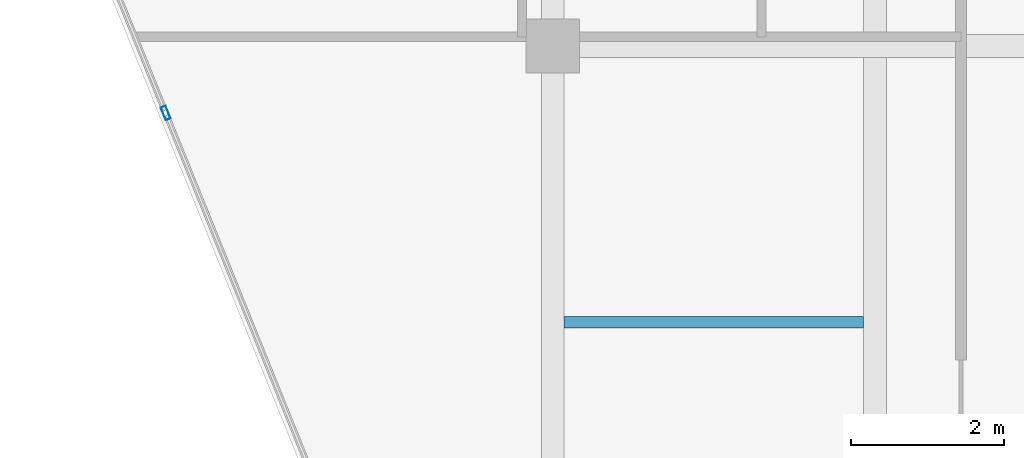
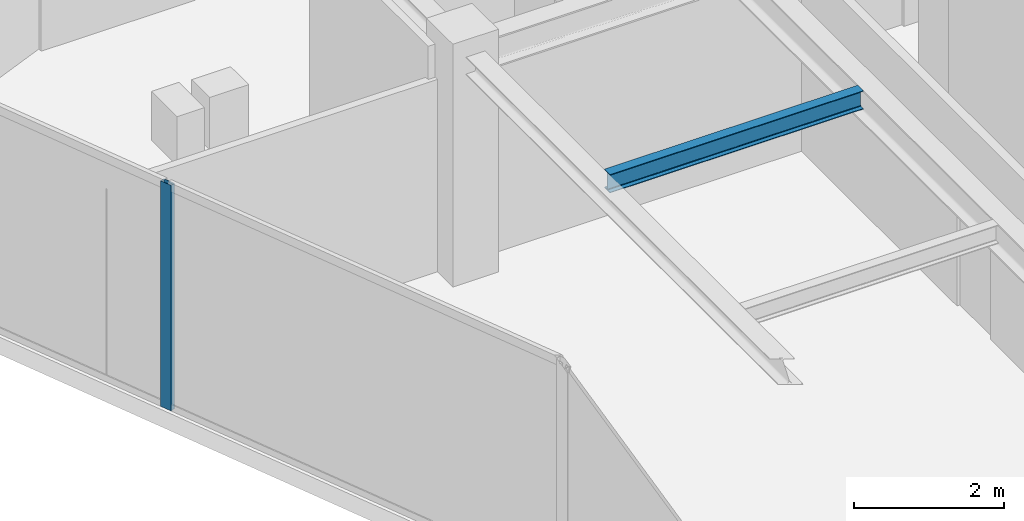
# One storey, part 5 of 21: 1 beam, 1 member, 1 element without a shape of its own.
"""IFC4 building model written with IfcOpenShell, lengths in metres."""

from ifc_helpers import new_model, si_unit, direction, frame, origin, origin_2d, place, context, subcontext, project, spatial, hollow_rectangle, i_section, extrude, source, transform, mapped, material, material_profile, profile_set, type_object, type_shapes, element, aggregate, save


model = new_model("IFC4")

# Units and contexts
model_context = context("Model", 3, precision=1e-05, world=origin(), true_north=direction((0.0, 1.0)))
body_context = subcontext(model_context, "Body", "Model", "MODEL_VIEW")
ifc_project = project(units=[si_unit("LENGTHUNIT", "METRE"), si_unit("AREAUNIT", "SQUARE_METRE"), si_unit("VOLUMEUNIT", "CUBIC_METRE"), si_unit("PLANEANGLEUNIT", "RADIAN"), si_unit("MASSUNIT", "GRAM", prefix="KILO")], contexts=[model_context])

# Site, building, storey
site_placement = place(None, origin())
site = spatial("IfcSite", under=ifc_project, at=site_placement, CompositionType="ELEMENT")
building_placement = place(site_placement, origin())
building = spatial("IfcBuilding", under=site, at=building_placement, Name="Krantzveldt Concourse Tower", CompositionType="ELEMENT")
storey_placement = place(building_placement, frame((0.0, 0.0, 327.699951171875)))
storey = spatial("IfcBuildingStorey", under=building, at=storey_placement, Name="L80", CompositionType="ELEMENT", Elevation=327.699951171875)

# Beam
ifc_material_1 = material(Name="Steel S355JR", Category="steel")
ifc_material_profile_1 = material_profile(ifc_material_1, i_section(OverallWidth=0.14990234375, OverallDepth=0.300048828125, WebThickness=0.007080078125, FlangeThickness=0.0107421875, FilletRadius=0.014892578125, at=origin_2d()), Name="Steel S355JR", Category="steel")
ifc_profile_set_1 = profile_set([ifc_material_profile_1], Name="Steel S355JR - IPE 300")
beam_type = type_object("IfcBeamType", Name="BM-J-IPE300", PredefinedType="JOIST", material=ifc_profile_set_1)
shared_shape_1 = source(origin(), body_context, "Body", "SweptSolid", [
    extrude(i_section(OverallWidth=0.14990234375, OverallDepth=0.300048828125, WebThickness=0.007080078125, FlangeThickness=0.0107421875, FilletRadius=0.014892578125, at=origin_2d()), origin(), (0.0, 0.0, 1.0), 3.900146484375),
])
type_shapes(beam_type, [shared_shape_1])
beam_placement = place(storey_placement, frame((21.14990234375, 23.10009765625, 3.52001953125), z_axis=(1.0, 0.0, 0.0), x_axis=(0.0, 1.0, 0.0)))
element("IfcBeam", 1, at=beam_placement, inside=storey, type_object=beam_type, Name="L80 Secondary Floor Joist JW-2", PredefinedType="JOIST", context=body_context, shape_type="MappedRepresentation", body=[
    mapped(shared_shape_1, transform((0.0, 0.0, 0.0), x_axis=(1.0, 0.0, 0.0), y_axis=(0.0, 1.0, 0.0), z_axis=(0.0, 0.0, 1.0), scale=1.0)),
])

# Curtain wall, member
ifc_material_2 = material(Name="Anodised aluminium 6063-T6", Category="aluminium")
curtain_wall_type = type_object("IfcCurtainWallType", Name="CW4", PredefinedType="USERDEFINED", material=ifc_material_2)
curtain_wall_placement = place(storey_placement, origin())
curtain_wall = element("IfcCurtainWall", 2, at=curtain_wall_placement, inside=storey, type_object=curtain_wall_type, Name="CW-L80-F04", ObjectType="UNITISED CURTAIN WALL", PredefinedType="USERDEFINED")
ifc_material_profile_2 = material_profile(ifc_material_2, hollow_rectangle(XDim=0.070068359375, YDim=0.179931640625, WallThickness=0.0048828125, at=origin_2d()), Name="Anodised aluminium 6063-T6", Category="aluminium")
ifc_profile_set_2 = profile_set([ifc_material_profile_2], Name="Anodised aluminium 6063-T6 - ALU-MULL 180x70x5")
member_type = type_object("IfcMemberType", Name="CW-MUL-180", PredefinedType="MULLION", material=ifc_profile_set_2)
shared_shape_2 = source(origin(), body_context, "Body", "SweptSolid", [
    extrude(hollow_rectangle(XDim=0.070068359375, YDim=0.179931640625, WallThickness=0.0048828125, at=origin_2d()), origin(), (0.0, 0.0, 1.0), 3.670166015625),
])
type_shapes(member_type, [shared_shape_2])
member_placement = place(storey_placement, frame((15.95703125, 25.828369140625, 0.0), z_axis=(0.0, 0.0, 1.0), x_axis=(0.927183825969, 0.374606664198, 0.0)))
member = element("IfcMember", 3, at=member_placement, type_object=member_type, Name="CW-Z56 mullion 2", PredefinedType="MULLION", context=body_context, shape_type="MappedRepresentation", body=[
    mapped(shared_shape_2, transform((0.0, 0.0, 0.0), x_axis=(1.0, 0.0, 0.0), y_axis=(0.0, 1.0, 0.0), z_axis=(0.0, 0.0, 1.0), scale=1.0)),
])
aggregate(curtain_wall, [member])

save(model, "model.ifc")
